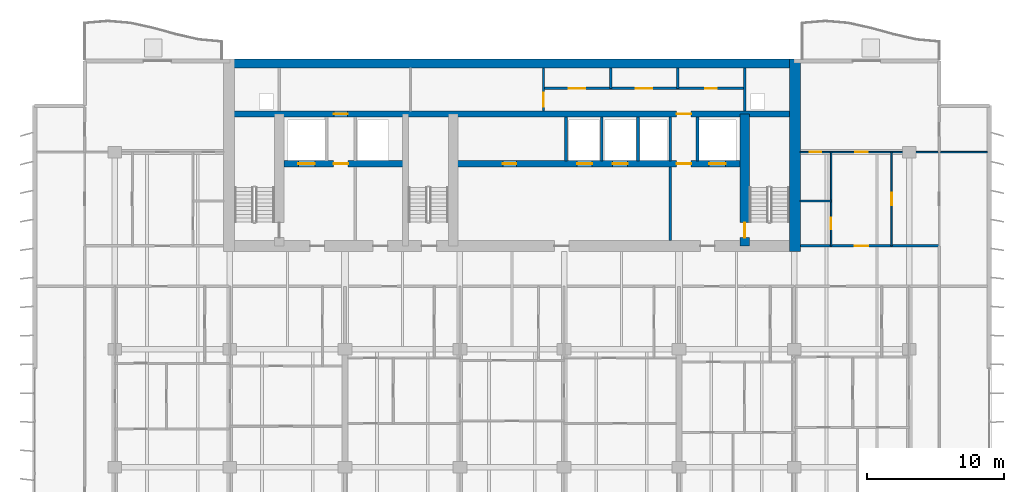
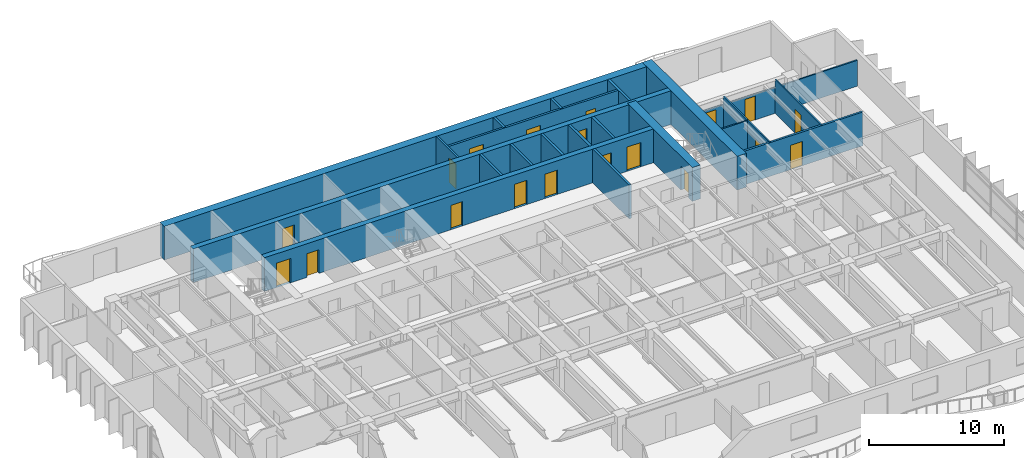
# One storey, part 10 of 15: 21 walls, 19 doors, 19 openings.
"""IFC4 building model written with IfcOpenShell, lengths in metres."""

from ifc_helpers import new_model, si_unit, direction, frame, frame_2d, origin, place, context, subcontext, project, spatial, rectangle, extrude, material, layer, layer_set, type_object, element, fill, save


model = new_model("IFC4")

# Units and contexts
model_context = context("Model", 3, precision=1e-05, world=origin(), true_north=direction((0.0, 1.0)))
body_context = subcontext(model_context, "Body", "Model", "MODEL_VIEW")
ifc_project = project(units=[si_unit("LENGTHUNIT", "METRE"), si_unit("AREAUNIT", "SQUARE_METRE"), si_unit("VOLUMEUNIT", "CUBIC_METRE"), si_unit("PLANEANGLEUNIT", "RADIAN"), si_unit("MASSUNIT", "GRAM", prefix="KILO")], contexts=[model_context])

# Site, building, storey
site_placement = place(None, origin())
site = spatial("IfcSite", under=ifc_project, at=site_placement, CompositionType="ELEMENT")
building_placement = place(site_placement, origin())
building = spatial("IfcBuilding", under=site, at=building_placement, Name="Caelmar Bay Residences", CompositionType="ELEMENT")
storey_placement = place(building_placement, frame((0.0, 0.0, 138.89990234375)))
storey = spatial("IfcBuildingStorey", under=building, at=storey_placement, Name="L38", CompositionType="ELEMENT", Elevation=138.89990234375)

# Wall, opening, door
ifc_material_1 = material(Name="Concrete f'c 55 MPa (8,000 psi)", Category="concrete")
ifc_layer_1 = layer(ifc_material_1, 0.699951171875)
ifc_layer_set_1 = layer_set([ifc_layer_1], Name="Concrete f'c 55 MPa (8,000 psi)")
wall_type_1 = type_object("IfcWallType", Name="SW-COR-700", PredefinedType="SHEAR", material=ifc_layer_set_1)
wall_1_placement = place(storey_placement, frame((55.89990234375, 36.949951171875, 0.0), z_axis=(0.0, 0.0, 1.0), x_axis=(0.0, 1.0, 0.0)))
wall_1 = element("IfcWall", 1, at=wall_1_placement, inside=storey, type_object=wall_type_1, Name="L38 Core Structural Web Wall ST2W", PredefinedType="SHEAR", context=body_context, shape_type="SweptSolid", body=[
    extrude(rectangle(XDim=9.625, YDim=0.699951171875, at=frame_2d((4.8125, 0.0))), origin(), (0.0, 0.0, 1.0), 3.050048828125),
])
opening_1_placement = place(wall_1_placement, frame((0.60009765625, 0.0, 0.0)))
opening_1 = element("IfcOpeningElement", 2, at=opening_1_placement, cuts=wall_1, Name="Opening D-L38-110", PredefinedType="OPENING", context=body_context, shape_type="SweptSolid", body=[
    extrude(rectangle(XDim=1.10009765625, YDim=2.14990234375, at=frame_2d((0.550048828125, 1.074951171875))), frame((0.0, 0.35986328125, 0.0), z_axis=(0.0, -1.0, 0.0), x_axis=(1.0, 0.0, 0.0)), (0.0, 0.0, 1.0), 0.719970703125),
])
ifc_material_2 = material(Name="Fire-rated steel and walnut architectural door assembly", Category="steel")
ifc_layer_2 = layer(ifc_material_2, 0.050048828125)
ifc_layer_set_2 = layer_set([ifc_layer_2], Name="Fire-rated steel and walnut architectural door assembly")
door_type_1 = type_object("IfcDoorType", Name="D-STAIR-1100", OperationType="NOTDEFINED", PredefinedType="DOOR", material=ifc_layer_set_2)
door_1_placement = place(opening_1_placement, origin())
door_1 = element("IfcDoor", 3, at=door_1_placement, inside=storey, type_object=door_type_1, Name="L38 Firefighting Lobby East Door", OperationType="SINGLE_SWING_LEFT", OverallHeight=2.14990234375, OverallWidth=1.10009765625, PredefinedType="DOOR", context=body_context, shape_type="SweptSolid", body=[
    extrude(rectangle(XDim=1.10009765625, YDim=2.14990234375, at=frame_2d((0.550048828125, 1.074951171875))), frame((0.0, 0.02490234375, 0.0), z_axis=(0.0, -1.0, 0.0), x_axis=(1.0, 0.0, 0.0)), (0.0, 0.0, 1.0), 0.050048828125),
])
fill(opening_1, door_1)

# Walls
ifc_material_3 = material(Name="Concrete f'c 70 MPa (10,000 psi)", Category="concrete")
ifc_layer_3 = layer(ifc_material_3, 0.800048828125)
ifc_layer_set_3 = layer_set([ifc_layer_3], Name="Concrete f'c 70 MPa (10,000 psi)")
wall_type_2 = type_object("IfcWallType", Name="SW-COR-800", PredefinedType="SHEAR", material=ifc_layer_set_3)
wall_2_placement = place(storey_placement, frame((59.550048828125, 36.550048828125, 0.0), z_axis=(0.0, 0.0, 1.0), x_axis=(0.0, 1.0, 0.0)))
element("IfcWall", 4, at=wall_2_placement, inside=storey, type_object=wall_type_2, Name="L38 Rear Core East Shear Wall", PredefinedType="SHEAR", context=body_context, shape_type="SweptSolid", body=[
    extrude(rectangle(XDim=14.050048828125, YDim=0.800048828125, at=frame_2d((7.02490234375, 0.0))), origin(), (0.0, 0.0, 1.0), 3.050048828125),
])
ifc_layer_4 = layer(ifc_material_1, 0.64990234375)
ifc_layer_set_4 = layer_set([ifc_layer_4], Name="Concrete f'c 55 MPa (8,000 psi)")
wall_type_3 = type_object("IfcWallType", Name="SW-CORN-650", PredefinedType="SHEAR", material=ifc_layer_set_4)
wall_3_placement = place(storey_placement, frame((17.85009765625, 50.27490234375, 0.0), z_axis=(0.0, 0.0, 1.0), x_axis=(1.0, 0.0, 0.0)))
element("IfcWall", 5, at=wall_3_placement, inside=storey, type_object=wall_type_3, Name="L38 Rear Core North Shear Wall", PredefinedType="SHEAR", context=body_context, shape_type="SweptSolid", body=[
    extrude(rectangle(XDim=42.099853515625, YDim=0.64990234375, at=frame_2d((21.0498046875, 0.0))), origin(), (0.0, 0.0, 1.0), 3.050048828125),
])

# Wall, openings, doors
ifc_layer_5 = layer(ifc_material_3, 0.449951171875)
ifc_layer_set_5 = layer_set([ifc_layer_5], Name="Concrete f'c 70 MPa (10,000 psi)")
wall_type_4 = type_object("IfcWallType", Name="SW-WEB-450", PredefinedType="SHEAR", material=ifc_layer_set_5)
wall_4_placement = place(storey_placement, frame((22.25, 42.949951171875, 0.0), z_axis=(0.0, 0.0, 1.0), x_axis=(1.0, 0.0, 0.0)))
wall_4 = element("IfcWall", 6, at=wall_4_placement, inside=storey, type_object=wall_type_4, Name="L38 Core Structural Web Wall LFR", PredefinedType="SHEAR", context=body_context, shape_type="SweptSolid", body=[
    extrude(rectangle(XDim=33.300048828125, YDim=0.449951171875, at=frame_2d((16.64990234375, 0.0))), origin(), (0.0, 0.0, 1.0), 3.050048828125),
])
opening_2_placement = place(wall_4_placement, frame((1.050048828125, 0.0, 0.0)))
opening_2 = element("IfcOpeningElement", 7, at=opening_2_placement, cuts=wall_4, Name="Opening LD2", PredefinedType="OPENING", context=body_context, shape_type="SweptSolid", body=[
    extrude(rectangle(XDim=1.199951171875, YDim=2.199951171875, at=frame_2d((0.60009765625, 1.10009765625))), frame((0.0, 0.23486328125, 0.0), z_axis=(0.0, -1.0, 0.0), x_axis=(1.0, 0.0, 0.0)), (0.0, 0.0, 1.0), 0.469970703125),
])
opening_3_placement = place(wall_4_placement, frame((31.050048828125, 0.0, 0.0)))
opening_3 = element("IfcOpeningElement", 8, at=opening_3_placement, cuts=wall_4, Name="Opening LD2", PredefinedType="OPENING", context=body_context, shape_type="SweptSolid", body=[
    extrude(rectangle(XDim=1.199951171875, YDim=2.199951171875, at=frame_2d((0.60009765625, 1.10009765625))), frame((0.0, 0.23486328125, 0.0), z_axis=(0.0, -1.0, 0.0), x_axis=(1.0, 0.0, 0.0)), (0.0, 0.0, 1.0), 0.469970703125),
])
opening_4_placement = place(wall_4_placement, frame((21.39990234375, 0.0, 0.0)))
opening_4 = element("IfcOpeningElement", 9, at=opening_4_placement, cuts=wall_4, Name="Opening LD1", PredefinedType="OPENING", context=body_context, shape_type="SweptSolid", body=[
    extrude(rectangle(XDim=1.10009765625, YDim=2.199951171875, at=frame_2d((0.550048828125, 1.10009765625))), frame((0.0, 0.23486328125, 0.0), z_axis=(0.0, -1.0, 0.0), x_axis=(1.0, 0.0, 0.0)), (0.0, 0.0, 1.0), 0.469970703125),
])
opening_5_placement = place(wall_4_placement, frame((24.0, 0.0, 0.0)))
opening_5 = element("IfcOpeningElement", 10, at=opening_5_placement, cuts=wall_4, Name="Opening LD1", PredefinedType="OPENING", context=body_context, shape_type="SweptSolid", body=[
    extrude(rectangle(XDim=1.10009765625, YDim=2.199951171875, at=frame_2d((0.550048828125, 1.10009765625))), frame((0.0, 0.23486328125, 0.0), z_axis=(0.0, -1.0, 0.0), x_axis=(1.0, 0.0, 0.0)), (0.0, 0.0, 1.0), 0.469970703125),
])
opening_6_placement = place(wall_4_placement, frame((3.625, 0.0, 0.0)))
opening_6 = element("IfcOpeningElement", 11, at=opening_6_placement, cuts=wall_4, Name="Opening D-L38-108", PredefinedType="OPENING", context=body_context, shape_type="SweptSolid", body=[
    extrude(rectangle(XDim=1.050048828125, YDim=2.14990234375, at=frame_2d((0.52490234375, 1.074951171875))), frame((0.0, 0.23486328125, 0.0), z_axis=(0.0, -1.0, 0.0), x_axis=(1.0, 0.0, 0.0)), (0.0, 0.0, 1.0), 0.469970703125),
])
opening_7_placement = place(wall_4_placement, frame((28.675048828125, 0.0, 0.0)))
opening_7 = element("IfcOpeningElement", 12, at=opening_7_placement, cuts=wall_4, Name="Opening D-L38-111", PredefinedType="OPENING", context=body_context, shape_type="SweptSolid", body=[
    extrude(rectangle(XDim=1.050048828125, YDim=2.14990234375, at=frame_2d((0.52490234375, 1.074951171875))), frame((0.0, 0.23486328125, 0.0), z_axis=(0.0, -1.0, 0.0), x_axis=(1.0, 0.0, 0.0)), (0.0, 0.0, 1.0), 0.469970703125),
])
opening_8_placement = place(wall_4_placement, frame((15.97509765625, 0.0, 0.0)))
opening_8 = element("IfcOpeningElement", 13, at=opening_8_placement, cuts=wall_4, Name="Opening D-L38-114", PredefinedType="OPENING", context=body_context, shape_type="SweptSolid", body=[
    extrude(rectangle(XDim=1.0, YDim=2.199951171875, at=frame_2d((0.5, 1.10009765625))), frame((0.0, 0.23486328125, 0.0), z_axis=(0.0, -1.0, 0.0), x_axis=(1.0, 0.0, 0.0)), (0.0, 0.0, 1.0), 0.469970703125),
])
ifc_layer_6 = layer(ifc_material_2, 0.050048828125)
ifc_layer_set_6 = layer_set([ifc_layer_6], Name="Fire-rated steel and walnut architectural door assembly")
door_type_2 = type_object("IfcDoorType", Name="D-FSAE-1050", OperationType="NOTDEFINED", PredefinedType="DOOR", material=ifc_layer_set_6)
door_2_placement = place(opening_6_placement, origin())
door_2 = element("IfcDoor", 14, at=door_2_placement, inside=storey, type_object=door_type_2, Name="L38 Firefighting Lobby West Door", OperationType="SINGLE_SWING_LEFT", OverallHeight=2.14990234375, OverallWidth=1.050048828125, PredefinedType="DOOR", context=body_context, shape_type="SweptSolid", body=[
    extrude(rectangle(XDim=1.050048828125, YDim=2.14990234375, at=frame_2d((0.52490234375, 1.074951171875))), frame((0.0, 0.02490234375, 0.0), z_axis=(0.0, -1.0, 0.0), x_axis=(1.0, 0.0, 0.0)), (0.0, 0.0, 1.0), 0.050048828125),
])
fill(opening_6, door_2)
door_3_placement = place(opening_7_placement, origin())
door_3 = element("IfcDoor", 15, at=door_3_placement, inside=storey, type_object=door_type_2, Name="L38 Firefighting Lobby East Door", OperationType="SINGLE_SWING_RIGHT", OverallHeight=2.14990234375, OverallWidth=1.050048828125, PredefinedType="DOOR", context=body_context, shape_type="SweptSolid", body=[
    extrude(rectangle(XDim=1.050048828125, YDim=2.14990234375, at=frame_2d((0.52490234375, 1.074951171875))), frame((0.0, 0.02490234375, 0.0), z_axis=(0.0, -1.0, 0.0), x_axis=(1.0, 0.0, 0.0)), (0.0, 0.0, 1.0), 0.050048828125),
])
fill(opening_7, door_3)
ifc_material_4 = material(Name="Brushed bronze stainless-steel fire-rated lift landing doors", Category="steel")
ifc_layer_7 = layer(ifc_material_4, 0.050048828125)
ifc_layer_set_7 = layer_set([ifc_layer_7], Name="Brushed bronze stainless-steel fire-rated lift landing doors")
door_type_3 = type_object("IfcDoorType", Name="D-LND-1100", OperationType="DOUBLE_DOOR_SLIDING", PredefinedType="DOOR", material=ifc_layer_set_7)
door_4_placement = place(opening_4_placement, origin())
door_4 = element("IfcDoor", 16, at=door_4_placement, inside=storey, type_object=door_type_3, Name="L38 LP4 Sliding Landing Door", OperationType="DOUBLE_DOOR_SLIDING", OverallHeight=2.199951171875, OverallWidth=1.10009765625, PredefinedType="DOOR", context=body_context, shape_type="SweptSolid", body=[
    extrude(rectangle(XDim=1.10009765625, YDim=2.199951171875, at=frame_2d((0.550048828125, 1.10009765625))), frame((0.0, 0.02490234375, 0.0), z_axis=(0.0, -1.0, 0.0), x_axis=(1.0, 0.0, 0.0)), (0.0, 0.0, 1.0), 0.050048828125),
])
fill(opening_4, door_4)
door_5_placement = place(opening_5_placement, origin())
door_5 = element("IfcDoor", 17, at=door_5_placement, inside=storey, type_object=door_type_3, Name="L38 LP5 Sliding Landing Door", OperationType="DOUBLE_DOOR_SLIDING", OverallHeight=2.199951171875, OverallWidth=1.10009765625, PredefinedType="DOOR", context=body_context, shape_type="SweptSolid", body=[
    extrude(rectangle(XDim=1.10009765625, YDim=2.199951171875, at=frame_2d((0.550048828125, 1.10009765625))), frame((0.0, 0.02490234375, 0.0), z_axis=(0.0, -1.0, 0.0), x_axis=(1.0, 0.0, 0.0)), (0.0, 0.0, 1.0), 0.050048828125),
])
fill(opening_5, door_5)
ifc_material_5 = material(Name="Brushed stainless-steel FSAE sliding landing door", Category="steel")
ifc_layer_8 = layer(ifc_material_5, 0.050048828125)
ifc_layer_set_8 = layer_set([ifc_layer_8], Name="Brushed stainless-steel FSAE sliding landing door")
door_type_4 = type_object("IfcDoorType", Name="D-LND-1200", OperationType="DOUBLE_DOOR_SLIDING", PredefinedType="DOOR", material=ifc_layer_set_8)
door_6_placement = place(opening_2_placement, origin())
door_6 = element("IfcDoor", 18, at=door_6_placement, inside=storey, type_object=door_type_4, Name="L38 LF1 Sliding Landing Door", OperationType="DOUBLE_DOOR_SLIDING", OverallHeight=2.199951171875, OverallWidth=1.199951171875, PredefinedType="DOOR", context=body_context, shape_type="SweptSolid", body=[
    extrude(rectangle(XDim=1.199951171875, YDim=2.199951171875, at=frame_2d((0.60009765625, 1.10009765625))), frame((0.0, 0.02490234375, 0.0), z_axis=(0.0, -1.0, 0.0), x_axis=(1.0, 0.0, 0.0)), (0.0, 0.0, 1.0), 0.050048828125),
])
fill(opening_2, door_6)
door_7_placement = place(opening_3_placement, origin())
door_7 = element("IfcDoor", 19, at=door_7_placement, inside=storey, type_object=door_type_4, Name="L38 LF2 Sliding Landing Door", OperationType="DOUBLE_DOOR_SLIDING", OverallHeight=2.199951171875, OverallWidth=1.199951171875, PredefinedType="DOOR", context=body_context, shape_type="SweptSolid", body=[
    extrude(rectangle(XDim=1.199951171875, YDim=2.199951171875, at=frame_2d((0.60009765625, 1.10009765625))), frame((0.0, 0.02490234375, 0.0), z_axis=(0.0, -1.0, 0.0), x_axis=(1.0, 0.0, 0.0)), (0.0, 0.0, 1.0), 0.050048828125),
])
fill(opening_3, door_7)
ifc_layer_9 = layer(ifc_material_2, 0.050048828125)
ifc_layer_set_9 = layer_set([ifc_layer_9], Name="Fire-rated steel and walnut architectural door assembly")
door_type_5 = type_object("IfcDoorType", Name="D-UNIT-1000", OperationType="NOTDEFINED", PredefinedType="DOOR", material=ifc_layer_set_9)
door_8_placement = place(opening_8_placement, origin())
door_8 = element("IfcDoor", 20, at=door_8_placement, inside=storey, type_object=door_type_5, Name="L38 Quiet Reading Study Door", OperationType="SINGLE_SWING_LEFT", OverallHeight=2.199951171875, OverallWidth=1.0, PredefinedType="DOOR", context=body_context, shape_type="SweptSolid", body=[
    extrude(rectangle(XDim=1.0, YDim=2.199951171875, at=frame_2d((0.5, 1.10009765625))), frame((0.0, 0.02490234375, 0.0), z_axis=(0.0, -1.0, 0.0), x_axis=(1.0, 0.0, 0.0)), (0.0, 0.0, 1.0), 0.050048828125),
])
fill(opening_8, door_8)

wall_5_placement = place(storey_placement, frame((18.25, 46.574951171875, 0.0), z_axis=(0.0, 0.0, 1.0), x_axis=(1.0, 0.0, 0.0)))
wall_5 = element("IfcWall", 21, at=wall_5_placement, inside=storey, type_object=wall_type_4, Name="L38 Core Structural Web Wall SRVS", PredefinedType="SHEAR", context=body_context, shape_type="SweptSolid", body=[
    extrude(rectangle(XDim=41.300048828125, YDim=0.449951171875, at=frame_2d((20.64990234375, 0.0))), origin(), (0.0, 0.0, 1.0), 3.050048828125),
])
opening_9_placement = place(wall_5_placement, frame((7.64990234375, 0.0, 0.0)))
opening_9 = element("IfcOpeningElement", 22, at=opening_9_placement, cuts=wall_5, Name="Opening D-L38-115", PredefinedType="OPENING", context=body_context, shape_type="SweptSolid", body=[
    extrude(rectangle(XDim=1.0, YDim=2.199951171875, at=frame_2d((0.5, 1.10009765625))), frame((0.0, 0.23486328125, 0.0), z_axis=(0.0, -1.0, 0.0), x_axis=(1.0, 0.0, 0.0)), (0.0, 0.0, 1.0), 0.469970703125),
])
opening_10_placement = place(wall_5_placement, frame((32.675048828125, 0.0, 0.0)))
opening_10 = element("IfcOpeningElement", 23, at=opening_10_placement, cuts=wall_5, Name="Opening D-L38-116", PredefinedType="OPENING", context=body_context, shape_type="SweptSolid", body=[
    extrude(rectangle(XDim=1.050048828125, YDim=2.14990234375, at=frame_2d((0.52490234375, 1.074951171875))), frame((0.0, 0.23486328125, 0.0), z_axis=(0.0, -1.0, 0.0), x_axis=(1.0, 0.0, 0.0)), (0.0, 0.0, 1.0), 0.469970703125),
])
door_9_placement = place(opening_10_placement, origin())
door_9 = element("IfcDoor", 24, at=door_9_placement, inside=storey, type_object=door_type_2, Name="L38 East Core Service Corridor Door", OperationType="SINGLE_SWING_LEFT", OverallHeight=2.14990234375, OverallWidth=1.050048828125, PredefinedType="DOOR", context=body_context, shape_type="SweptSolid", body=[
    extrude(rectangle(XDim=1.050048828125, YDim=2.14990234375, at=frame_2d((0.52490234375, 1.074951171875))), frame((0.0, 0.02490234375, 0.0), z_axis=(0.0, -1.0, 0.0), x_axis=(1.0, 0.0, 0.0)), (0.0, 0.0, 1.0), 0.050048828125),
])
fill(opening_10, door_9)
door_10_placement = place(opening_9_placement, origin())
door_10 = element("IfcDoor", 25, at=door_10_placement, inside=storey, type_object=door_type_5, Name="L38 Package Concierge Office Door", OperationType="SINGLE_SWING_RIGHT", OverallHeight=2.199951171875, OverallWidth=1.0, PredefinedType="DOOR", context=body_context, shape_type="SweptSolid", body=[
    extrude(rectangle(XDim=1.0, YDim=2.199951171875, at=frame_2d((0.5, 1.10009765625))), frame((0.0, 0.02490234375, 0.0), z_axis=(0.0, -1.0, 0.0), x_axis=(1.0, 0.0, 0.0)), (0.0, 0.0, 1.0), 0.050048828125),
])
fill(opening_9, door_10)

# Wall, opening, door
ifc_material_6 = material(Name="Double-stud acoustic fire-rated gypsum partition 180 mm")
ifc_layer_10 = layer(ifc_material_6, 0.179931640625)
ifc_layer_set_10 = layer_set([ifc_layer_10], Name="Double-stud acoustic fire-rated gypsum partition 180 mm")
wall_type_5 = type_object("IfcWallType", Name="W-COR-200", PredefinedType="PARTITIONING", material=ifc_layer_set_10)
wall_6_placement = place(storey_placement, frame((41.199951171875, 46.794921875, 0.0), z_axis=(0.0, 0.0, 1.0), x_axis=(0.0, 1.0, 0.0)))
wall_6 = element("IfcWall", 26, at=wall_6_placement, inside=storey, type_object=wall_type_5, Name="L38 Partition Wall V034", PredefinedType="PARTITIONING", context=body_context, shape_type="SweptSolid", body=[
    extrude(rectangle(XDim=3.16015625, YDim=0.179931640625, at=frame_2d((1.580078125, 0.0))), origin(), (0.0, 0.0, 1.0), 3.050048828125),
])
opening_11_placement = place(wall_6_placement, frame((0.327392578125, 0.0, 0.0)))
opening_11 = element("IfcOpeningElement", 27, at=opening_11_placement, cuts=wall_6, Name="Opening D-L38-117", PredefinedType="OPENING", context=body_context, shape_type="SweptSolid", body=[
    extrude(rectangle(XDim=1.0, YDim=2.199951171875, at=frame_2d((0.5, 1.10009765625))), frame((0.0, 0.099853515625, 0.0), z_axis=(0.0, -1.0, 0.0), x_axis=(1.0, 0.0, 0.0)), (0.0, 0.0, 1.0), 0.199951171875),
])
door_11_placement = place(opening_11_placement, origin())
door_11 = element("IfcDoor", 28, at=door_11_placement, inside=storey, type_object=door_type_5, Name="L38 Engineering Control Office Door", OperationType="SINGLE_SWING_RIGHT", OverallHeight=2.199951171875, OverallWidth=1.0, PredefinedType="DOOR", context=body_context, shape_type="SweptSolid", body=[
    extrude(rectangle(XDim=1.0, YDim=2.199951171875, at=frame_2d((0.5, 1.10009765625))), frame((0.0, 0.02490234375, 0.0), z_axis=(0.0, -1.0, 0.0), x_axis=(1.0, 0.0, 0.0)), (0.0, 0.0, 1.0), 0.050048828125),
])
fill(opening_11, door_11)

# Walls
for number, where, z_axis, x_axis, name in (
    (29, (46.10009765625, 48.449951171875, 0.0), (0.0, 0.0, 1.0), (0.0, 1.0, 0.0), "L38 Partition Wall V040"),
    (30, (51.0, 48.449951171875, 0.0), (0.0, 0.0, 1.0), (0.0, 1.0, 0.0), "L38 Partition Wall V045"),
):
    element("IfcWall", number, at=place(storey_placement, frame(where, z_axis=z_axis, x_axis=x_axis)), inside=storey, type_object=wall_type_5, Name=name, PredefinedType="PARTITIONING", context=body_context, shape_type="SweptSolid", body=[
        extrude(rectangle(XDim=1.505126953125, YDim=0.179931640625, at=frame_2d((0.75244140625, 0.0))), origin(), (0.0, 0.0, 1.0), 3.050048828125),
    ])

# Wall, opening, door
wall_7_placement = place(storey_placement, frame((59.955078125, 36.949951171875, 0.0), z_axis=(0.0, 0.0, 1.0), x_axis=(1.0, 0.0, 0.0)))
wall_7 = element("IfcWall", 31, at=wall_7_placement, inside=storey, type_object=wall_type_5, Name="L38 Partition Wall H101", PredefinedType="PARTITIONING", context=body_context, shape_type="SweptSolid", body=[
    extrude(rectangle(XDim=10.14501953125, YDim=0.179931640625, at=frame_2d((5.072509765625, 0.0))), origin(), (0.0, 0.0, 1.0), 3.050048828125),
])
opening_12_placement = place(wall_7_placement, frame((3.95703125, 0.0, 0.0)))
opening_12 = element("IfcOpeningElement", 32, at=opening_12_placement, cuts=wall_7, Name="Opening D-L38-172", PredefinedType="OPENING", context=body_context, shape_type="SweptSolid", body=[
    extrude(rectangle(XDim=1.0, YDim=2.199951171875, at=frame_2d((0.5, 1.10009765625))), frame((0.0, 0.099853515625, 0.0), z_axis=(0.0, -1.0, 0.0), x_axis=(1.0, 0.0, 0.0)), (0.0, 0.0, 1.0), 0.199951171875),
])
door_12_placement = place(opening_12_placement, origin())
door_12 = element("IfcDoor", 33, at=door_12_placement, inside=storey, type_object=door_type_5, Name="L38 Residence EA Kitchen Door", OperationType="SINGLE_SWING_LEFT", OverallHeight=2.199951171875, OverallWidth=1.0, PredefinedType="DOOR", context=body_context, shape_type="SweptSolid", body=[
    extrude(rectangle(XDim=1.0, YDim=2.199951171875, at=frame_2d((0.5, 1.10009765625))), frame((0.0, 0.02490234375, 0.0), z_axis=(0.0, -1.0, 0.0), x_axis=(1.0, 0.0, 0.0)), (0.0, 0.0, 1.0), 0.050048828125),
])
fill(opening_12, door_12)

# Wall, openings, doors
wall_8_placement = place(storey_placement, frame((41.199951171875, 48.449951171875, 0.0), z_axis=(0.0, 0.0, 1.0), x_axis=(1.0, 0.0, 0.0)))
wall_8 = element("IfcWall", 34, at=wall_8_placement, inside=storey, type_object=wall_type_5, Name="L38 Partition Wall H106", PredefinedType="PARTITIONING", context=body_context, shape_type="SweptSolid", body=[
    extrude(rectangle(XDim=14.68603515625, YDim=0.179931640625, at=frame_2d((7.343017578125, 0.0))), origin(), (0.0, 0.0, 1.0), 3.050048828125),
])
opening_13_placement = place(wall_8_placement, frame((1.85009765625, 0.0, 0.0)))
opening_13 = element("IfcOpeningElement", 35, at=opening_13_placement, cuts=wall_8, Name="Opening D-L38-118", PredefinedType="OPENING", context=body_context, shape_type="SweptSolid", body=[
    extrude(rectangle(XDim=1.199951171875, YDim=2.199951171875, at=frame_2d((0.60009765625, 1.10009765625))), frame((0.0, 0.099853515625, 0.0), z_axis=(0.0, -1.0, 0.0), x_axis=(1.0, 0.0, 0.0)), (0.0, 0.0, 1.0), 0.199951171875),
])
opening_14_placement = place(wall_8_placement, frame((6.75, 0.0, 0.0)))
opening_14 = element("IfcOpeningElement", 36, at=opening_14_placement, cuts=wall_8, Name="Opening D-L38-119", PredefinedType="OPENING", context=body_context, shape_type="SweptSolid", body=[
    extrude(rectangle(XDim=1.199951171875, YDim=2.199951171875, at=frame_2d((0.60009765625, 1.10009765625))), frame((0.0, 0.099853515625, 0.0), z_axis=(0.0, -1.0, 0.0), x_axis=(1.0, 0.0, 0.0)), (0.0, 0.0, 1.0), 0.199951171875),
])
opening_15_placement = place(wall_8_placement, frame((11.818115234375, 0.0, 0.0)))
opening_15 = element("IfcOpeningElement", 37, at=opening_15_placement, cuts=wall_8, Name="Opening D-L38-120", PredefinedType="OPENING", context=body_context, shape_type="SweptSolid", body=[
    extrude(rectangle(XDim=0.85009765625, YDim=2.10009765625, at=frame_2d((0.425048828125, 1.050048828125))), frame((0.0, 0.099853515625, 0.0), z_axis=(0.0, -1.0, 0.0), x_axis=(1.0, 0.0, 0.0)), (0.0, 0.0, 1.0), 0.199951171875),
])
ifc_layer_11 = layer(ifc_material_2, 0.050048828125)
ifc_layer_set_11 = layer_set([ifc_layer_11], Name="Fire-rated steel and walnut architectural door assembly")
door_type_6 = type_object("IfcDoorType", Name="D-CORE-850", OperationType="NOTDEFINED", PredefinedType="DOOR", material=ifc_layer_set_11)
door_13_placement = place(opening_15_placement, origin())
door_13 = element("IfcDoor", 38, at=door_13_placement, inside=storey, type_object=door_type_6, Name="L38 Accessible Staff WC Door", OperationType="SINGLE_SWING_LEFT", OverallHeight=2.10009765625, OverallWidth=0.85009765625, PredefinedType="DOOR", context=body_context, shape_type="SweptSolid", body=[
    extrude(rectangle(XDim=0.85009765625, YDim=2.10009765625, at=frame_2d((0.425048828125, 1.050048828125))), frame((0.0, 0.02490234375, 0.0), z_axis=(0.0, -1.0, 0.0), x_axis=(1.0, 0.0, 0.0)), (0.0, 0.0, 1.0), 0.050048828125),
])
fill(opening_15, door_13)
ifc_layer_12 = layer(ifc_material_2, 0.050048828125)
ifc_layer_set_12 = layer_set([ifc_layer_12], Name="Fire-rated steel and walnut architectural door assembly")
door_type_7 = type_object("IfcDoorType", Name="D-PLANT-1200", OperationType="NOTDEFINED", PredefinedType="DOOR", material=ifc_layer_set_12)
door_14_placement = place(opening_13_placement, origin())
door_14 = element("IfcDoor", 39, at=door_14_placement, inside=storey, type_object=door_type_7, Name="L38 Electrical Closet Door", OperationType="SINGLE_SWING_LEFT", OverallHeight=2.199951171875, OverallWidth=1.199951171875, PredefinedType="DOOR", context=body_context, shape_type="SweptSolid", body=[
    extrude(rectangle(XDim=1.199951171875, YDim=2.199951171875, at=frame_2d((0.60009765625, 1.10009765625))), frame((0.0, 0.02490234375, 0.0), z_axis=(0.0, -1.0, 0.0), x_axis=(1.0, 0.0, 0.0)), (0.0, 0.0, 1.0), 0.050048828125),
])
fill(opening_13, door_14)
door_15_placement = place(opening_14_placement, origin())
door_15 = element("IfcDoor", 40, at=door_15_placement, inside=storey, type_object=door_type_7, Name="L38 Housekeeping Linen Closet Door", OperationType="SINGLE_SWING_RIGHT", OverallHeight=2.199951171875, OverallWidth=1.199951171875, PredefinedType="DOOR", context=body_context, shape_type="SweptSolid", body=[
    extrude(rectangle(XDim=1.199951171875, YDim=2.199951171875, at=frame_2d((0.60009765625, 1.10009765625))), frame((0.0, 0.02490234375, 0.0), z_axis=(0.0, -1.0, 0.0), x_axis=(1.0, 0.0, 0.0)), (0.0, 0.0, 1.0), 0.050048828125),
])
fill(opening_14, door_15)

# Walls
ifc_material_7 = material(Name="Fire-rated masonry and gypsum shaftliner assembly 200 mm", Category="masonry")
ifc_layer_13 = layer(ifc_material_7, 0.199951171875)
ifc_layer_set_13 = layer_set([ifc_layer_13], Name="Fire-rated masonry and gypsum shaftliner assembly 200 mm")
wall_type_6 = type_object("IfcWallType", Name="W-FSAE-200", PredefinedType="PARTITIONING", material=ifc_layer_set_13)
for number, where, z_axis, x_axis, name in (
    (41, (42.85009765625, 43.169921875, 0.0), (0.0, 0.0, 1.0), (0.0, 1.0, 0.0), "L38 Partition Wall V038"),
    (42, (45.449951171875, 43.169921875, 0.0), (0.0, 0.0, 1.0), (0.0, 1.0, 0.0), "L38 Partition Wall V039"),
    (43, (48.10009765625, 43.169921875, 0.0), (0.0, 0.0, 1.0), (0.0, 1.0, 0.0), "L38 Partition Wall V041"),
):
    element("IfcWall", number, at=place(storey_placement, frame(where, z_axis=z_axis, x_axis=x_axis)), inside=storey, type_object=wall_type_6, Name=name, PredefinedType="PARTITIONING", context=body_context, shape_type="SweptSolid", body=[
        extrude(rectangle(XDim=3.18505859375, YDim=0.199951171875, at=frame_2d((1.592529296875, 0.0))), origin(), (0.0, 0.0, 1.0), 3.050048828125),
    ])
wall_9_placement = place(storey_placement, frame((50.449951171875, 37.344970703125, 0.0), z_axis=(0.0, 0.0, 1.0), x_axis=(0.0, 1.0, 0.0)))
element("IfcWall", 44, at=wall_9_placement, inside=storey, type_object=wall_type_6, Name="L38 Partition Wall V043", PredefinedType="PARTITIONING", context=body_context, shape_type="SweptSolid", body=[
    extrude(rectangle(XDim=5.385009765625, YDim=0.199951171875, at=frame_2d((2.6923828125, 0.0))), origin(), (0.0, 0.0, 1.0), 3.050048828125),
])
for number, where, z_axis, x_axis, name in (
    (45, (50.449951171875, 43.169921875, 0.0), (0.0, 0.0, 1.0), (0.0, 1.0, 0.0), "L38 Partition Wall V044"),
    (46, (52.449951171875, 43.169921875, 0.0), (0.0, 0.0, 1.0), (0.0, 1.0, 0.0), "L38 Partition Wall V049"),
):
    element("IfcWall", number, at=place(storey_placement, frame(where, z_axis=z_axis, x_axis=x_axis)), inside=storey, type_object=wall_type_6, Name=name, PredefinedType="PARTITIONING", context=body_context, shape_type="SweptSolid", body=[
        extrude(rectangle(XDim=3.18505859375, YDim=0.199951171875, at=frame_2d((1.592529296875, 0.0))), origin(), (0.0, 0.0, 1.0), 3.050048828125),
    ])
wall_10_placement = place(storey_placement, frame((55.89990234375, 46.794921875, 0.0), z_axis=(0.0, 0.0, 1.0), x_axis=(0.0, 1.0, 0.0)))
element("IfcWall", 47, at=wall_10_placement, inside=storey, type_object=wall_type_6, Name="L38 Partition Wall V053", PredefinedType="PARTITIONING", context=body_context, shape_type="SweptSolid", body=[
    extrude(rectangle(XDim=3.16015625, YDim=0.199951171875, at=frame_2d((1.580078125, 0.0))), origin(), (0.0, 0.0, 1.0), 3.050048828125),
])

# Wall, opening, door
ifc_material_8 = material(Name="Acoustic metal-stud gypsum partition 120 mm")
ifc_layer_14 = layer(ifc_material_8, 0.1201171875)
ifc_layer_set_14 = layer_set([ifc_layer_14], Name="Acoustic metal-stud gypsum partition 120 mm")
wall_type_7 = type_object("IfcWallType", Name="W-PRT-120", PredefinedType="PARTITIONING", material=ifc_layer_set_14)
wall_11_placement = place(storey_placement, frame((62.199951171875, 36.949951171875, 0.0), z_axis=(0.0, 0.0, 1.0), x_axis=(0.0, 1.0, 0.0)))
wall_11 = element("IfcWall", 48, at=wall_11_placement, inside=storey, type_object=wall_type_7, Name="L38 Partition Wall V059", PredefinedType="PARTITIONING", context=body_context, shape_type="SweptSolid", body=[
    extrude(rectangle(XDim=6.85009765625, YDim=0.1201171875, at=frame_2d((3.425048828125, 0.0))), origin(), (0.0, 0.0, 1.0), 3.050048828125),
])
opening_16_placement = place(wall_11_placement, frame((1.218994140625, 0.0, 0.0)))
opening_16 = element("IfcOpeningElement", 49, at=opening_16_placement, cuts=wall_11, Name="Opening D-L38-174", PredefinedType="OPENING", context=body_context, shape_type="SweptSolid", body=[
    extrude(rectangle(XDim=0.85009765625, YDim=2.10009765625, at=frame_2d((0.425048828125, 1.050048828125))), frame((0.0, 0.070068359375, 0.0), z_axis=(0.0, -1.0, 0.0), x_axis=(1.0, 0.0, 0.0)), (0.0, 0.0, 1.0), 0.14013671875),
])
ifc_material_9 = material(Name="Solid walnut timber interior door leaf and frame", Category="wood")
ifc_layer_15 = layer(ifc_material_9, 0.050048828125)
ifc_layer_set_15 = layer_set([ifc_layer_15], Name="Solid walnut timber interior door leaf and frame")
door_type_8 = type_object("IfcDoorType", Name="D-BATH-850", OperationType="NOTDEFINED", PredefinedType="DOOR", material=ifc_layer_set_15)
door_16_placement = place(opening_16_placement, origin())
door_16 = element("IfcDoor", 50, at=door_16_placement, inside=storey, type_object=door_type_8, Name="L38 Residence EA Walk-In Closet Door", OperationType="SINGLE_SWING_LEFT", OverallHeight=2.10009765625, OverallWidth=0.85009765625, PredefinedType="DOOR", context=body_context, shape_type="SweptSolid", body=[
    extrude(rectangle(XDim=0.85009765625, YDim=2.10009765625, at=frame_2d((0.425048828125, 1.050048828125))), frame((0.0, 0.02490234375, 0.0), z_axis=(0.0, -1.0, 0.0), x_axis=(1.0, 0.0, 0.0)), (0.0, 0.0, 1.0), 0.050048828125),
])
fill(opening_16, door_16)

wall_12_placement = place(storey_placement, frame((66.6240234375, 36.949951171875, 0.0), z_axis=(0.0, 0.0, 1.0), x_axis=(0.0, 1.0, 0.0)))
wall_12 = element("IfcWall", 51, at=wall_12_placement, inside=storey, type_object=wall_type_7, Name="L38 Partition Wall V064", PredefinedType="PARTITIONING", context=body_context, shape_type="SweptSolid", body=[
    extrude(rectangle(XDim=6.85009765625, YDim=0.1201171875, at=frame_2d((3.425048828125, 0.0))), origin(), (0.0, 0.0, 1.0), 3.050048828125),
])
opening_17_placement = place(wall_12_placement, frame((2.97509765625, 0.0, 0.0)))
opening_17 = element("IfcOpeningElement", 52, at=opening_17_placement, cuts=wall_12, Name="Opening D-L38-171", PredefinedType="OPENING", context=body_context, shape_type="SweptSolid", body=[
    extrude(rectangle(XDim=0.89990234375, YDim=2.14990234375, at=frame_2d((0.449951171875, 1.074951171875))), frame((0.0, 0.070068359375, 0.0), z_axis=(0.0, -1.0, 0.0), x_axis=(1.0, 0.0, 0.0)), (0.0, 0.0, 1.0), 0.14013671875),
])
ifc_layer_16 = layer(ifc_material_9, 0.050048828125)
ifc_layer_set_16 = layer_set([ifc_layer_16], Name="Solid walnut timber interior door leaf and frame")
door_type_9 = type_object("IfcDoorType", Name="D-ROOM-900", OperationType="NOTDEFINED", PredefinedType="DOOR", material=ifc_layer_set_16)
door_17_placement = place(opening_17_placement, origin())
door_17 = element("IfcDoor", 53, at=door_17_placement, inside=storey, type_object=door_type_9, Name="L38 Residence EA Dining Room Door", OperationType="SINGLE_SWING_RIGHT", OverallHeight=2.14990234375, OverallWidth=0.89990234375, PredefinedType="DOOR", context=body_context, shape_type="SweptSolid", body=[
    extrude(rectangle(XDim=0.89990234375, YDim=2.14990234375, at=frame_2d((0.449951171875, 1.074951171875))), frame((0.0, 0.02490234375, 0.0), z_axis=(0.0, -1.0, 0.0), x_axis=(1.0, 0.0, 0.0)), (0.0, 0.0, 1.0), 0.050048828125),
])
fill(opening_17, door_17)

# Wall
wall_13_placement = place(storey_placement, frame((59.945068359375, 40.238037109375, 0.0), z_axis=(0.0, 0.0, 1.0), x_axis=(1.0, 0.0, 0.0)))
element("IfcWall", 54, at=wall_13_placement, inside=storey, type_object=wall_type_7, Name="L38 Partition Wall H103", PredefinedType="PARTITIONING", context=body_context, shape_type="SweptSolid", body=[
    extrude(rectangle(XDim=2.2548828125, YDim=0.1201171875, at=frame_2d((1.12744140625, 0.0))), origin(), (0.0, 0.0, 1.0), 3.050048828125),
])

# Wall, openings, doors
wall_14_placement = place(storey_placement, frame((59.945068359375, 43.800048828125, 0.0), z_axis=(0.0, 0.0, 1.0), x_axis=(1.0, 0.0, 0.0)))
wall_14 = element("IfcWall", 55, at=wall_14_placement, inside=storey, type_object=wall_type_7, Name="L38 Partition Wall H105", PredefinedType="PARTITIONING", context=body_context, shape_type="SweptSolid", body=[
    extrude(rectangle(XDim=13.659912109375, YDim=0.1201171875, at=frame_2d((6.830078125, 0.0))), origin(), (0.0, 0.0, 1.0), 2.339111328125),
])
opening_18_placement = place(wall_14_placement, frame((4.01708984375, 0.0, 0.0)))
opening_18 = element("IfcOpeningElement", 56, at=opening_18_placement, cuts=wall_14, Name="Opening D-L38-173", PredefinedType="OPENING", context=body_context, shape_type="SweptSolid", body=[
    extrude(rectangle(XDim=0.89990234375, YDim=2.14990234375, at=frame_2d((0.449951171875, 1.074951171875))), frame((0.0, 0.070068359375, 0.0), z_axis=(0.0, -1.0, 0.0), x_axis=(1.0, 0.0, 0.0)), (0.0, 0.0, 1.0), 0.14013671875),
])
opening_19_placement = place(wall_14_placement, frame((0.702392578125, 0.0, 0.0)))
opening_19 = element("IfcOpeningElement", 57, at=opening_19_placement, cuts=wall_14, Name="Opening D-L38-175", PredefinedType="OPENING", context=body_context, shape_type="SweptSolid", body=[
    extrude(rectangle(XDim=0.85009765625, YDim=2.10009765625, at=frame_2d((0.425048828125, 1.050048828125))), frame((0.0, 0.070068359375, 0.0), z_axis=(0.0, -1.0, 0.0), x_axis=(1.0, 0.0, 0.0)), (0.0, 0.0, 1.0), 0.14013671875),
])
door_18_placement = place(opening_19_placement, origin())
door_18 = element("IfcDoor", 58, at=door_18_placement, inside=storey, type_object=door_type_8, Name="L38 Residence EA Bathroom Door", OperationType="SINGLE_SWING_RIGHT", OverallHeight=2.10009765625, OverallWidth=0.85009765625, PredefinedType="DOOR", context=body_context, shape_type="SweptSolid", body=[
    extrude(rectangle(XDim=0.85009765625, YDim=2.10009765625, at=frame_2d((0.425048828125, 1.050048828125))), frame((0.0, 0.02490234375, 0.0), z_axis=(0.0, -1.0, 0.0), x_axis=(1.0, 0.0, 0.0)), (0.0, 0.0, 1.0), 0.050048828125),
])
fill(opening_19, door_18)
door_19_placement = place(opening_18_placement, origin())
door_19 = element("IfcDoor", 59, at=door_19_placement, inside=storey, type_object=door_type_9, Name="L38 Residence EA Studio Living and Sleeping Room Door", OperationType="SINGLE_SWING_RIGHT", OverallHeight=2.14990234375, OverallWidth=0.89990234375, PredefinedType="DOOR", context=body_context, shape_type="SweptSolid", body=[
    extrude(rectangle(XDim=0.89990234375, YDim=2.14990234375, at=frame_2d((0.449951171875, 1.074951171875))), frame((0.0, 0.02490234375, 0.0), z_axis=(0.0, -1.0, 0.0), x_axis=(1.0, 0.0, 0.0)), (0.0, 0.0, 1.0), 0.050048828125),
])
fill(opening_18, door_19)

save(model, "model.ifc")
